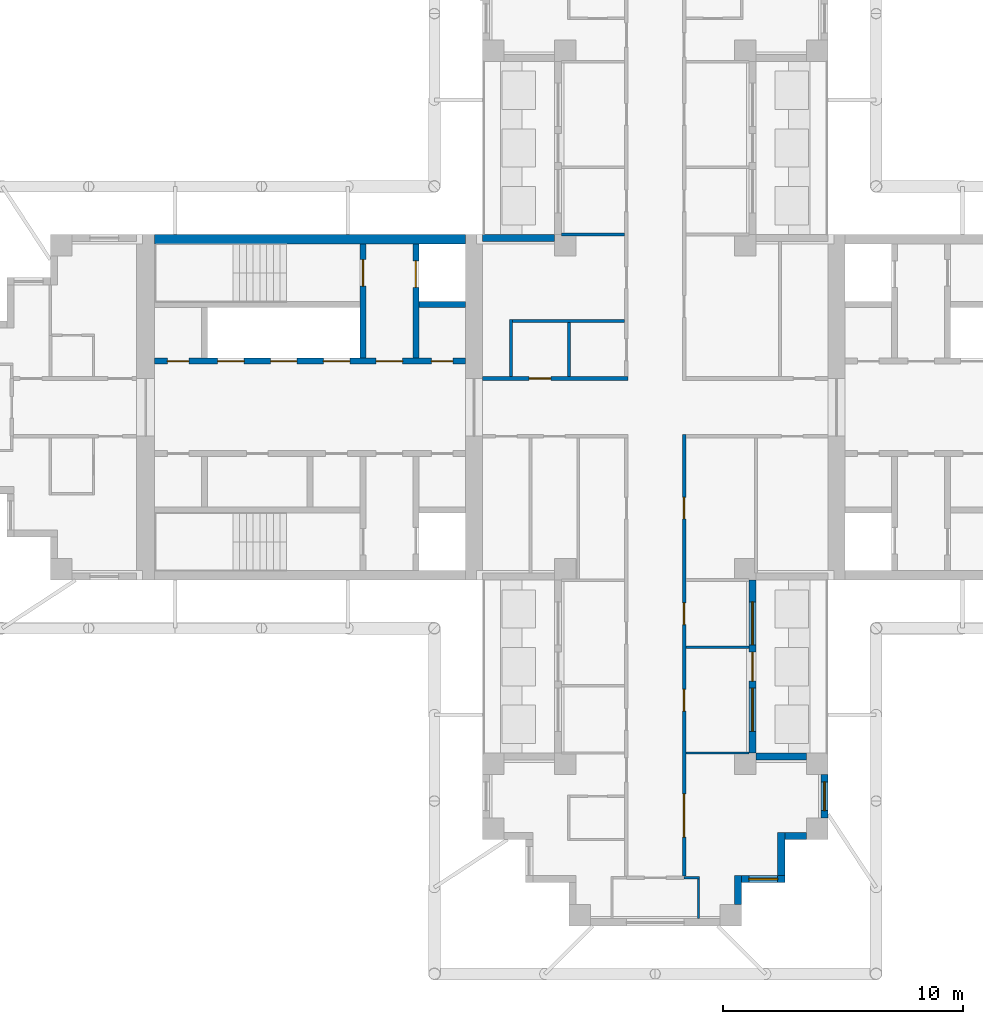
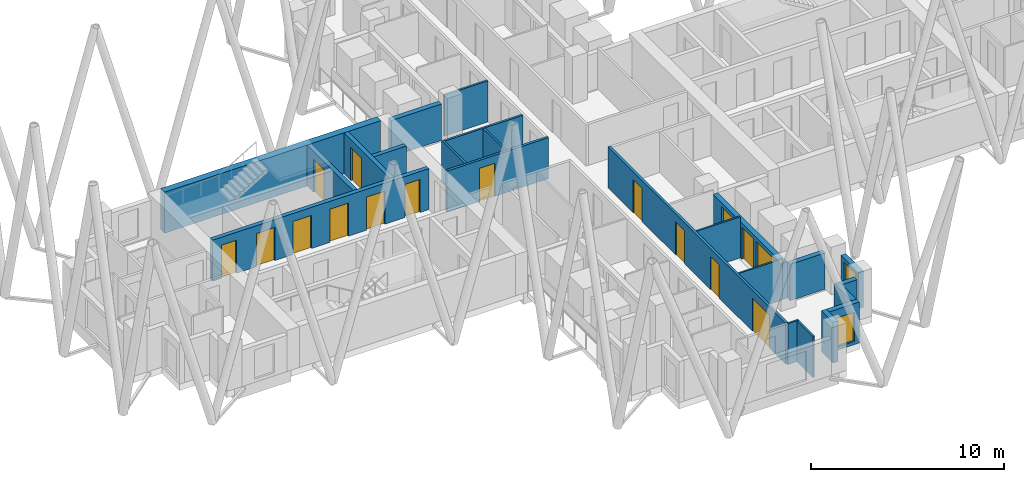
# One storey, part 5 of 11: 23 walls, 14 doors, 4 windows, 18 openings.
"""IFC4 building model written with IfcOpenShell, lengths in metres."""

import ifcopenshell
import ifcopenshell.guid

model = None  # the IFC model being written
_history = None  # IfcOwnerHistory: only IFC2X3 demands one
_inside = {}  # id of a spatial element -> (the spatial element, [elements in it])
_under = {}  # id of a project, library or spatial element -> (it, [spatial elements below it])
_declared = {}  # id of a project -> (the project, [libraries it declares])
_typed = {}  # id of a type object -> (the type object, [elements of that type])
_made_of = {}  # id of a material, layer set ... -> (it, [elements and type objects made of it])


def new_model(schema):
    """Start an empty IFC model of exactly this schema.

    Asked for "IFC4X3", IfcOpenShell would pick the latest addendum, in which some entities
    have other attributes; the version numbers below select the first issue.
    IFC2X3 requires an IfcOwnerHistory on every rooted entity: one is made here for all.
    """
    global model, _history
    if schema == "IFC4X3":
        model = ifcopenshell.file(schema_version=(4, 3, 0, 0))
    else:
        model = ifcopenshell.file(schema=schema)
    _inside.clear()
    _under.clear()
    _declared.clear()
    _typed.clear()
    _made_of.clear()
    _history = None
    if model.schema == "IFC2X3":
        org = make("IfcOrganization", Name="unknown")
        user = make(
            "IfcPersonAndOrganization",
            ThePerson=make("IfcPerson", FamilyName="unknown"),
            TheOrganization=org,
        )
        app = make(
            "IfcApplication",
            ApplicationDeveloper=org,
            Version="unknown",
            ApplicationFullName="unknown",
            ApplicationIdentifier="unknown",
        )
        _history = make(
            "IfcOwnerHistory",
            OwningUser=user,
            OwningApplication=app,
            ChangeAction="ADDED",
            CreationDate=0,
        )
    return model


def make(cls, **values):
    """One entity of the class cls with the attributes given. An attribute that is None is left unset."""
    return model.create_entity(
        cls, **{name: value for name, value in values.items() if value is not None}
    )


def rooted(cls, **values):
    """An entity with a GlobalId (a new one), such as an element, a storey or a relation."""
    return make(cls, GlobalId=ifcopenshell.guid.new(), OwnerHistory=_history, **values)


def si_unit(unit_type, name, prefix=None):
    """IfcSIUnit, for example si_unit("LENGTHUNIT", "METRE", prefix="MILLI")."""
    return make("IfcSIUnit", UnitType=unit_type, Prefix=prefix, Name=name)


def assignment(units):
    """IfcUnitAssignment: the units of a project."""
    return None if units is None else make("IfcUnitAssignment", Units=units)


def point(xyz):
    """IfcCartesianPoint."""
    return None if xyz is None else make("IfcCartesianPoint", Coordinates=xyz)


def direction(xyz):
    """IfcDirection."""
    return None if xyz is None else make("IfcDirection", DirectionRatios=xyz)


def frame(location, z_axis=None, x_axis=None):
    """IfcAxis2Placement3D, a coordinate frame: its origin and axes. An axis left out is left unset."""
    return make(
        "IfcAxis2Placement3D",
        Location=point(location),
        Axis=direction(z_axis),
        RefDirection=direction(x_axis),
    )


def frame_2d(location, x_axis=None):
    """IfcAxis2Placement2D, a coordinate frame in the plane: its origin and x axis."""
    return make(
        "IfcAxis2Placement2D", Location=point(location), RefDirection=direction(x_axis)
    )


def origin():
    """The frame at (0, 0, 0) with its axes left unset."""
    return frame((0.0, 0.0, 0.0))


def place(relative_to, where):
    """IfcLocalPlacement: puts the frame where relative to a parent placement (None: the world)."""
    return make(
        "IfcLocalPlacement", PlacementRelTo=relative_to, RelativePlacement=where
    )


def context(
    kind, dimensions, precision=None, world=None, true_north=None, identifier=None
):
    """IfcGeometricRepresentationContext, for example the 3D "Model" context."""
    return make(
        "IfcGeometricRepresentationContext",
        ContextIdentifier=identifier,
        ContextType=kind,
        CoordinateSpaceDimension=dimensions,
        Precision=precision,
        WorldCoordinateSystem=world,
        TrueNorth=true_north,
    )


def subcontext(parent, identifier, kind, view, scale=None):
    """IfcGeometricRepresentationSubContext, for example "Body" below "Model"."""
    return make(
        "IfcGeometricRepresentationSubContext",
        ContextIdentifier=identifier,
        ContextType=kind,
        ParentContext=parent,
        TargetScale=scale,
        TargetView=view,
    )


def project(units=None, contexts=None):
    """IfcProject with its units and contexts."""
    return rooted(
        "IfcProject",
        Name="project",
        RepresentationContexts=contexts,
        UnitsInContext=assignment(units),
    )


def spatial(cls, under=None, at=None, **own):
    """A site, building, storey or space (cls), placed at a placement, below another one or the project."""
    s = rooted(cls, ObjectPlacement=at, **own)
    if under is not None:
        _under.setdefault(under.id(), (under, []))[1].append(s)
    return s


def profile(cls, at=None, kind="AREA", **sizes):
    """A parametric profile (cls). Its sizes go by their IFC names, for example OverallWidth=200.0."""
    return make(cls, ProfileType=kind, Position=at, **sizes)


def rectangle(**sizes):
    """IfcRectangleProfileDef."""
    return profile("IfcRectangleProfileDef", **sizes)


def extrude(swept, where, along, depth):
    """IfcExtrudedAreaSolid: the profile swept, set in the frame where, extruded along a direction by depth."""
    return make(
        "IfcExtrudedAreaSolid",
        SweptArea=swept,
        Position=where,
        ExtrudedDirection=direction(along),
        Depth=depth,
    )


def shape(context_of_items, identifier, shape_type, items):
    """IfcShapeRepresentation: the items that make up one representation, for example the "Body"."""
    return make(
        "IfcShapeRepresentation",
        ContextOfItems=context_of_items,
        RepresentationIdentifier=identifier,
        RepresentationType=shape_type,
        Items=items,
    )


def material(Name=None, Category=None):
    """IfcMaterial."""
    return make("IfcMaterial", Name=Name, Category=Category)


def layer(
    of_material, thickness, ventilated=None, Name=None, Category=None, Priority=None
):
    """IfcMaterialLayer: one layer of a wall or slab, of a material (None: an air gap)."""
    return make(
        "IfcMaterialLayer",
        Material=of_material,
        LayerThickness=thickness,
        IsVentilated=ventilated,
        Name=Name,
        Category=Category,
        Priority=Priority,
    )


def layer_set(layers, Name=None):
    """IfcMaterialLayerSet."""
    return make("IfcMaterialLayerSet", MaterialLayers=layers, LayerSetName=Name)


def made_of(thing, what):
    """Note that an element or type object is made of a material, layer set ...; save() writes the relation."""
    if what is not None:
        _made_of.setdefault(what.id(), (what, []))[1].append(thing)
    return thing


def type_object(cls, material=None, **own):
    """A type object (cls), such as IfcWallType, which elements share."""
    return made_of(rooted(cls, **own), material)


def element(
    cls,
    number,
    at=None,
    inside=None,
    cuts=None,
    type_object=None,
    material=None,
    context=None,
    identifier="Body",
    shape_type=None,
    held_by="IfcProductDefinitionShape",
    body=None,
    shapes=None,
    **own,
):
    """One element of the class cls, such as IfcWall. Its Tag is "e" and its number.

    at: its placement. inside: the storey or other place that contains it. cuts: it is an
    opening in that element (IfcRelVoidsElement). A single representation is given by context,
    identifier, shape_type and body (its items); several are given by shapes. held_by: the class
    of the entity that holds the representations. save() writes the other relations.
    """
    e = rooted(cls, Tag="e%d" % number, ObjectPlacement=at, **own)
    if body is not None:
        shapes = [shape(context, identifier, shape_type, body)]
    if shapes is not None:
        e.Representation = make(held_by, Representations=shapes)
    if inside is not None:
        _inside.setdefault(inside.id(), (inside, []))[1].append(e)
    if cuts is not None:
        rooted(
            "IfcRelVoidsElement", RelatingBuildingElement=cuts, RelatedOpeningElement=e
        )
    if type_object is not None:
        _typed.setdefault(type_object.id(), (type_object, []))[1].append(e)
    return made_of(e, material)


def fill(opening, filler):
    """IfcRelFillsElement: the door or window that sits in an opening."""
    return rooted(
        "IfcRelFillsElement",
        RelatingOpeningElement=opening,
        RelatedBuildingElement=filler,
    )


def aggregate(whole, parts):
    """IfcRelAggregates: a whole, such as a stair, and the parts it consists of."""
    return rooted("IfcRelAggregates", RelatingObject=whole, RelatedObjects=parts)


def save(model, path):
    """Write the relations noted so far, then the file.

    IfcRelAggregates (storeys below a building ...), IfcRelContainedInSpatialStructure (elements
    in a storey), IfcRelDefinesByType, IfcRelAssociatesMaterial and IfcRelDeclares: one each for
    every whole, place, type object, material and project.
    """
    for whole, parts in _under.values():
        aggregate(whole, parts)
    for where, things in _inside.values():
        rooted(
            "IfcRelContainedInSpatialStructure",
            RelatedElements=things,
            RelatingStructure=where,
        )
    for kind, things in _typed.values():
        rooted("IfcRelDefinesByType", RelatedObjects=things, RelatingType=kind)
    for what, things in _made_of.values():
        rooted("IfcRelAssociatesMaterial", RelatedObjects=things, RelatingMaterial=what)
    for by, libraries in _declared.values():
        rooted("IfcRelDeclares", RelatingContext=by, RelatedDefinitions=libraries)
    model.write(path)


model = new_model("IFC4")

# Units and contexts
model_context = context("Model", 3, precision=1e-05, world=origin(), true_north=direction((0.0, 1.0)))
body_context = subcontext(model_context, "Body", "Model", "MODEL_VIEW")
ifc_project = project(units=[si_unit("LENGTHUNIT", "METRE"), si_unit("AREAUNIT", "SQUARE_METRE"), si_unit("VOLUMEUNIT", "CUBIC_METRE"), si_unit("PLANEANGLEUNIT", "RADIAN"), si_unit("MASSUNIT", "GRAM", prefix="KILO")], contexts=[model_context])

# Site, building, storey
site_placement = place(None, origin())
site = spatial("IfcSite", under=ifc_project, at=site_placement, CompositionType="ELEMENT")
building_placement = place(site_placement, origin())
building = spatial("IfcBuilding", under=site, at=building_placement, Name="Fustian Cross Tower", CompositionType="ELEMENT")
storey_placement = place(building_placement, frame((0.0, 0.0, 234.89990234375)))
storey = spatial("IfcBuildingStorey", under=building, at=storey_placement, Name="L74", CompositionType="ELEMENT", Elevation=234.89990234375)

# Wall, opening, door
ifc_material_1 = material(Name="Plasterboard on steel stud", Category="steel")
ifc_layer_1 = layer(ifc_material_1, 0.14990234375)
ifc_layer_set_1 = layer_set([ifc_layer_1], Name="Plasterboard on steel stud")
wall_type_1 = type_object("IfcWallType", Name="COMPARTMENT WALL 150 EI 60", PredefinedType="PARTITIONING", material=ifc_layer_set_1)
wall_1_placement = place(storey_placement, frame((-7.199951171875, 1.199951171875, 0.0), z_axis=(0.0, 0.0, 1.0), x_axis=(1.0, 0.0, 0.0)))
wall_1 = element("IfcWall", 1, at=wall_1_placement, inside=storey, type_object=wall_type_1, Name="Partition 16", PredefinedType="PARTITIONING", context=body_context, shape_type="SweptSolid", body=[
    extrude(rectangle(XDim=6.074951171875, YDim=0.14990234375, at=frame_2d((3.03759765625, 0.0))), origin(), (0.0, 0.0, 1.0), 2.60009765625),
])
opening_1_placement = place(wall_1_placement, frame((1.949951171875, 0.0, 0.0)))
opening_1 = element("IfcOpeningElement", 2, at=opening_1_placement, cuts=wall_1, Name="Opening D33004", PredefinedType="OPENING", context=body_context, shape_type="SweptSolid", body=[
    extrude(rectangle(XDim=0.89990234375, YDim=2.10009765625, at=frame_2d((0.449951171875, 1.050048828125))), frame((0.0, 0.0849609375, 0.0), z_axis=(0.0, -1.0, 0.0), x_axis=(1.0, 0.0, 0.0)), (0.0, 0.0, 1.0), 0.169921875),
])
ifc_material_2 = material(Name="Timber fire door set", Category="wood")
door_type_1 = type_object("IfcDoorType", Name="FIRE SWING DOOR 900 FD30S", OperationType="SINGLE_SWING_LEFT", PredefinedType="DOOR", material=ifc_material_2)
door_1_placement = place(opening_1_placement, origin())
door_1 = element("IfcDoor", 3, at=door_1_placement, inside=storey, type_object=door_type_1, Name="Door D33004", OperationType="SINGLE_SWING_LEFT", OverallHeight=2.10009765625, OverallWidth=0.89990234375, PredefinedType="DOOR", context=body_context, shape_type="SweptSolid", body=[
    extrude(rectangle(XDim=0.89990234375, YDim=2.10009765625, at=frame_2d((0.449951171875, 1.050048828125))), frame((0.0, 0.02490234375, 0.0), z_axis=(0.0, -1.0, 0.0), x_axis=(1.0, 0.0, 0.0)), (0.0, 0.0, 1.0), 0.050048828125),
])
fill(opening_1, door_1)

# Wall, openings, doors
wall_2_placement = place(storey_placement, frame((1.199951171875, -19.52490234375, 0.0), z_axis=(0.0, 0.0, 1.0), x_axis=(0.0, 1.0, 0.0)))
wall_2 = element("IfcWall", 4, at=wall_2_placement, inside=storey, type_object=wall_type_1, Name="Partition 42", PredefinedType="PARTITIONING", context=body_context, shape_type="SweptSolid", body=[
    extrude(rectangle(XDim=18.39990234375, YDim=0.14990234375, at=frame_2d((9.199951171875, 0.0))), origin(), (0.0, 0.0, 1.0), 2.60009765625),
])
opening_2_placement = place(wall_2_placement, frame((14.875, 0.0, 0.0)))
opening_2 = element("IfcOpeningElement", 5, at=opening_2_placement, cuts=wall_2, Name="Opening D33006", PredefinedType="OPENING", context=body_context, shape_type="SweptSolid", body=[
    extrude(rectangle(XDim=0.89990234375, YDim=2.10009765625, at=frame_2d((0.449951171875, 1.050048828125))), frame((0.0, 0.0849609375, 0.0), z_axis=(0.0, -1.0, 0.0), x_axis=(1.0, 0.0, 0.0)), (0.0, 0.0, 1.0), 0.169921875),
])
opening_3_placement = place(wall_2_placement, frame((10.47509765625, 0.0, 0.0)))
opening_3 = element("IfcOpeningElement", 6, at=opening_3_placement, cuts=wall_2, Name="Opening D33033", PredefinedType="OPENING", context=body_context, shape_type="SweptSolid", body=[
    extrude(rectangle(XDim=0.89990234375, YDim=2.10009765625, at=frame_2d((0.449951171875, 1.050048828125))), frame((0.0, 0.0849609375, 0.0), z_axis=(0.0, -1.0, 0.0), x_axis=(1.0, 0.0, 0.0)), (0.0, 0.0, 1.0), 0.169921875),
])
opening_4_placement = place(wall_2_placement, frame((6.875, 0.0, 0.0)))
opening_4 = element("IfcOpeningElement", 7, at=opening_4_placement, cuts=wall_2, Name="Opening D33034", PredefinedType="OPENING", context=body_context, shape_type="SweptSolid", body=[
    extrude(rectangle(XDim=0.89990234375, YDim=2.10009765625, at=frame_2d((0.449951171875, 1.050048828125))), frame((0.0, 0.0849609375, 0.0), z_axis=(0.0, -1.0, 0.0), x_axis=(1.0, 0.0, 0.0)), (0.0, 0.0, 1.0), 0.169921875),
])
opening_5_placement = place(wall_2_placement, frame((1.625, 0.0, 0.0)))
opening_5 = element("IfcOpeningElement", 8, at=opening_5_placement, cuts=wall_2, Name="Opening D33035", PredefinedType="OPENING", context=body_context, shape_type="SweptSolid", body=[
    extrude(rectangle(XDim=1.800048828125, YDim=2.10009765625, at=frame_2d((0.89990234375, 1.050048828125))), frame((0.0, 0.0849609375, 0.0), z_axis=(0.0, -1.0, 0.0), x_axis=(1.0, 0.0, 0.0)), (0.0, 0.0, 1.0), 0.169921875),
])
ifc_material_3 = material(Name="Timber fire door set", Category="wood")
door_type_2 = type_object("IfcDoorType", Name="FIRE DOUBLE DOOR 1800 FD30S", OperationType="DOUBLE_DOOR_DOUBLE_SWING", PredefinedType="DOOR", material=ifc_material_3)
door_2_placement = place(opening_5_placement, origin())
door_2 = element("IfcDoor", 9, at=door_2_placement, inside=storey, type_object=door_type_2, Name="Door D33035", OperationType="DOUBLE_DOOR_DOUBLE_SWING", OverallHeight=2.10009765625, OverallWidth=1.800048828125, PredefinedType="DOOR", context=body_context, shape_type="SweptSolid", body=[
    extrude(rectangle(XDim=1.800048828125, YDim=2.10009765625, at=frame_2d((0.89990234375, 1.050048828125))), frame((0.0, 0.02490234375, 0.0), z_axis=(0.0, -1.0, 0.0), x_axis=(1.0, 0.0, 0.0)), (0.0, 0.0, 1.0), 0.050048828125),
])
fill(opening_5, door_2)
door_3_placement = place(opening_2_placement, frame((0.89990234375, 0.0, 0.0), z_axis=(0.0, 0.0, 1.0), x_axis=(-1.0, 0.0, 0.0)))
door_3 = element("IfcDoor", 10, at=door_3_placement, inside=storey, type_object=door_type_1, Name="Door D33006", OperationType="SINGLE_SWING_RIGHT", OverallHeight=2.10009765625, OverallWidth=0.89990234375, PredefinedType="DOOR", context=body_context, shape_type="SweptSolid", body=[
    extrude(rectangle(XDim=0.89990234375, YDim=2.10009765625, at=frame_2d((0.449951171875, 1.050048828125))), frame((0.0, 0.02490234375, 0.0), z_axis=(0.0, -1.0, 0.0), x_axis=(1.0, 0.0, 0.0)), (0.0, 0.0, 1.0), 0.050048828125),
])
fill(opening_2, door_3)
door_4_placement = place(opening_3_placement, frame((0.89990234375, 0.0, 0.0), z_axis=(0.0, 0.0, 1.0), x_axis=(-1.0, 0.0, 0.0)))
door_4 = element("IfcDoor", 11, at=door_4_placement, inside=storey, type_object=door_type_1, Name="Door D33033", OperationType="SINGLE_SWING_RIGHT", OverallHeight=2.10009765625, OverallWidth=0.89990234375, PredefinedType="DOOR", context=body_context, shape_type="SweptSolid", body=[
    extrude(rectangle(XDim=0.89990234375, YDim=2.10009765625, at=frame_2d((0.449951171875, 1.050048828125))), frame((0.0, 0.02490234375, 0.0), z_axis=(0.0, -1.0, 0.0), x_axis=(1.0, 0.0, 0.0)), (0.0, 0.0, 1.0), 0.050048828125),
])
fill(opening_3, door_4)
door_5_placement = place(opening_4_placement, frame((0.89990234375, 0.0, 0.0), z_axis=(0.0, 0.0, 1.0), x_axis=(-1.0, 0.0, 0.0)))
door_5 = element("IfcDoor", 12, at=door_5_placement, inside=storey, type_object=door_type_1, Name="Door D33034", OperationType="SINGLE_SWING_RIGHT", OverallHeight=2.10009765625, OverallWidth=0.89990234375, PredefinedType="DOOR", context=body_context, shape_type="SweptSolid", body=[
    extrude(rectangle(XDim=0.89990234375, YDim=2.10009765625, at=frame_2d((0.449951171875, 1.050048828125))), frame((0.0, 0.02490234375, 0.0), z_axis=(0.0, -1.0, 0.0), x_axis=(1.0, 0.0, 0.0)), (0.0, 0.0, 1.0), 0.050048828125),
])
fill(opening_4, door_5)

# Wall
ifc_material_4 = material(Name="Concrete C50/60", Category="concrete")
ifc_layer_2 = layer(ifc_material_4, 0.39990234375)
ifc_layer_set_2 = layer_set([ifc_layer_2], Name="Concrete C50/60")
wall_type_2 = type_object("IfcWallType", Name="CORE FACADE WALL 400 C50/60", PredefinedType="SHEAR", material=ifc_layer_set_2)
wall_3_placement = place(storey_placement, frame((-7.89990234375, 7.0, 0.0), z_axis=(0.0, 0.0, 1.0), x_axis=(-1.0, 0.0, 0.0)))
element("IfcWall", 13, at=wall_3_placement, inside=storey, type_object=wall_type_2, Name="Core facade wall", PredefinedType="SHEAR", context=body_context, shape_type="SweptSolid", body=[
    extrude(rectangle(XDim=12.9501953125, YDim=0.39990234375, at=frame_2d((6.47509765625, 0.0))), origin(), (0.0, 0.0, 1.0), 2.60009765625),
])

# Wall, openings, doors
ifc_material_5 = material(Name="Concrete C50/60", Category="concrete")
ifc_layer_3 = layer(ifc_material_5, 0.25)
ifc_layer_set_3 = layer_set([ifc_layer_3], Name="Concrete C50/60")
wall_type_3 = type_object("IfcWallType", Name="CORE LOBBY WALL 250 C50/60", PredefinedType="SHEAR", material=ifc_layer_set_3)
wall_4_placement = place(storey_placement, frame((-7.89990234375, 1.925048828125, 0.0), z_axis=(0.0, 0.0, 1.0), x_axis=(-1.0, 0.0, 0.0)))
wall_4 = element("IfcWall", 14, at=wall_4_placement, inside=storey, type_object=wall_type_3, Name="Core lobby wall", PredefinedType="SHEAR", context=body_context, shape_type="SweptSolid", body=[
    extrude(rectangle(XDim=12.9501953125, YDim=0.25, at=frame_2d((6.47509765625, 0.0))), origin(), (0.0, 0.0, 1.0), 2.60009765625),
])
opening_6_placement = place(wall_4_placement, frame((4.824951171875, 0.0, 0.0)))
opening_6 = element("IfcOpeningElement", 15, at=opening_6_placement, cuts=wall_4, Name="Opening LD", PredefinedType="OPENING", context=body_context, shape_type="SweptSolid", body=[
    extrude(rectangle(XDim=1.10009765625, YDim=2.10009765625, at=frame_2d((0.550048828125, 1.050048828125))), frame((0.0, 0.135009765625, 0.0), z_axis=(0.0, -1.0, 0.0), x_axis=(1.0, 0.0, 0.0)), (0.0, 0.0, 1.0), 0.27001953125),
])
opening_7_placement = place(wall_4_placement, frame((7.02490234375, 0.0, 0.0)))
opening_7 = element("IfcOpeningElement", 16, at=opening_7_placement, cuts=wall_4, Name="Opening LD", PredefinedType="OPENING", context=body_context, shape_type="SweptSolid", body=[
    extrude(rectangle(XDim=1.10009765625, YDim=2.10009765625, at=frame_2d((0.550048828125, 1.050048828125))), frame((0.0, 0.135009765625, 0.0), z_axis=(0.0, -1.0, 0.0), x_axis=(1.0, 0.0, 0.0)), (0.0, 0.0, 1.0), 0.27001953125),
])
opening_8_placement = place(wall_4_placement, frame((9.22509765625, 0.0, 0.0)))
opening_8 = element("IfcOpeningElement", 17, at=opening_8_placement, cuts=wall_4, Name="Opening LD", PredefinedType="OPENING", context=body_context, shape_type="SweptSolid", body=[
    extrude(rectangle(XDim=1.10009765625, YDim=2.10009765625, at=frame_2d((0.550048828125, 1.050048828125))), frame((0.0, 0.135009765625, 0.0), z_axis=(0.0, -1.0, 0.0), x_axis=(1.0, 0.0, 0.0)), (0.0, 0.0, 1.0), 0.27001953125),
])
opening_9_placement = place(wall_4_placement, frame((0.52490234375, 0.0, 0.0)))
opening_9 = element("IfcOpeningElement", 18, at=opening_9_placement, cuts=wall_4, Name="Opening CD-28-25", PredefinedType="OPENING", context=body_context, shape_type="SweptSolid", body=[
    extrude(rectangle(XDim=0.89990234375, YDim=2.10009765625, at=frame_2d((0.449951171875, 1.050048828125))), frame((0.0, 0.135009765625, 0.0), z_axis=(0.0, -1.0, 0.0), x_axis=(1.0, 0.0, 0.0)), (0.0, 0.0, 1.0), 0.27001953125),
])
opening_10_placement = place(wall_4_placement, frame((2.625, 0.0, 0.0)))
opening_10 = element("IfcOpeningElement", 19, at=opening_10_placement, cuts=wall_4, Name="Opening CD-28-27", PredefinedType="OPENING", context=body_context, shape_type="SweptSolid", body=[
    extrude(rectangle(XDim=1.10009765625, YDim=2.10009765625, at=frame_2d((0.550048828125, 1.050048828125))), frame((0.0, 0.135009765625, 0.0), z_axis=(0.0, -1.0, 0.0), x_axis=(1.0, 0.0, 0.0)), (0.0, 0.0, 1.0), 0.27001953125),
])
opening_11_placement = place(wall_4_placement, frame((11.52490234375, 0.0, 0.0)))
opening_11 = element("IfcOpeningElement", 20, at=opening_11_placement, cuts=wall_4, Name="Opening CD-28-31", PredefinedType="OPENING", context=body_context, shape_type="SweptSolid", body=[
    extrude(rectangle(XDim=0.89990234375, YDim=2.10009765625, at=frame_2d((0.449951171875, 1.050048828125))), frame((0.0, 0.135009765625, 0.0), z_axis=(0.0, -1.0, 0.0), x_axis=(1.0, 0.0, 0.0)), (0.0, 0.0, 1.0), 0.27001953125),
])
ifc_material_6 = material(Name="Steel", Category="steel")
door_type_3 = type_object("IfcDoorType", Name="FIRE DOOR FD30S 900X2100", OperationType="SINGLE_SWING_LEFT", PredefinedType="DOOR", material=ifc_material_6)
door_6_placement = place(opening_11_placement, frame((0.89990234375, 0.0, 0.0), z_axis=(0.0, 0.0, 1.0), x_axis=(-1.0, 0.0, 0.0)))
door_6 = element("IfcDoor", 21, at=door_6_placement, inside=storey, type_object=door_type_3, Name="Core door CD-28-31", OperationType="SINGLE_SWING_RIGHT", OverallHeight=2.10009765625, OverallWidth=0.89990234375, PredefinedType="DOOR", context=body_context, shape_type="SweptSolid", body=[
    extrude(rectangle(XDim=0.89990234375, YDim=2.10009765625, at=frame_2d((0.449951171875, 1.050048828125))), frame((0.0, 0.02490234375, 0.0), z_axis=(0.0, -1.0, 0.0), x_axis=(1.0, 0.0, 0.0)), (0.0, 0.0, 1.0), 0.050048828125),
])
fill(opening_11, door_6)
ifc_material_7 = material(Name="Steel", Category="steel")
door_type_4 = type_object("IfcDoorType", Name="FIRE DOOR FD60S 1100X2100", OperationType="SINGLE_SWING_LEFT", PredefinedType="DOOR", material=ifc_material_7)
door_7_placement = place(opening_10_placement, frame((1.10009765625, 0.0, 0.0), z_axis=(0.0, 0.0, 1.0), x_axis=(-1.0, 0.0, 0.0)))
door_7 = element("IfcDoor", 22, at=door_7_placement, inside=storey, type_object=door_type_4, Name="Core door CD-28-27", OperationType="SINGLE_SWING_RIGHT", OverallHeight=2.10009765625, OverallWidth=1.10009765625, PredefinedType="DOOR", context=body_context, shape_type="SweptSolid", body=[
    extrude(rectangle(XDim=1.10009765625, YDim=2.10009765625, at=frame_2d((0.550048828125, 1.050048828125))), frame((0.0, 0.02490234375, 0.0), z_axis=(0.0, -1.0, 0.0), x_axis=(1.0, 0.0, 0.0)), (0.0, 0.0, 1.0), 0.050048828125),
])
fill(opening_10, door_7)
ifc_material_8 = material(Name="Steel", Category="steel")
door_type_5 = type_object("IfcDoorType", Name="FIRE DOOR FD60S 900X2100", OperationType="SINGLE_SWING_LEFT", PredefinedType="DOOR", material=ifc_material_8)
door_8_placement = place(opening_9_placement, frame((0.89990234375, 0.0, 0.0), z_axis=(0.0, 0.0, 1.0), x_axis=(-1.0, 0.0, 0.0)))
door_8 = element("IfcDoor", 23, at=door_8_placement, inside=storey, type_object=door_type_5, Name="Core door CD-28-25", OperationType="SINGLE_SWING_RIGHT", OverallHeight=2.10009765625, OverallWidth=0.89990234375, PredefinedType="DOOR", context=body_context, shape_type="SweptSolid", body=[
    extrude(rectangle(XDim=0.89990234375, YDim=2.10009765625, at=frame_2d((0.449951171875, 1.050048828125))), frame((0.0, 0.02490234375, 0.0), z_axis=(0.0, -1.0, 0.0), x_axis=(1.0, 0.0, 0.0)), (0.0, 0.0, 1.0), 0.050048828125),
])
fill(opening_9, door_8)
ifc_material_9 = material(Name="Stainless steel", Category="steel")
door_type_6 = type_object("IfcDoorType", Name="LIFT LANDING DOOR 1100X2100", OperationType="SLIDING_TO_LEFT", PredefinedType="DOOR", material=ifc_material_9)
door_9_placement = place(opening_6_placement, origin())
door_9 = element("IfcDoor", 24, at=door_9_placement, inside=storey, type_object=door_type_6, Name="Landing door HR1W", OperationType="SLIDING_TO_LEFT", OverallHeight=2.10009765625, OverallWidth=1.10009765625, PredefinedType="DOOR", context=body_context, shape_type="SweptSolid", body=[
    extrude(rectangle(XDim=1.10009765625, YDim=2.10009765625, at=frame_2d((0.550048828125, 1.050048828125))), frame((0.0, 0.02490234375, 0.0), z_axis=(0.0, -1.0, 0.0), x_axis=(1.0, 0.0, 0.0)), (0.0, 0.0, 1.0), 0.050048828125),
])
fill(opening_6, door_9)
door_10_placement = place(opening_7_placement, origin())
door_10 = element("IfcDoor", 25, at=door_10_placement, inside=storey, type_object=door_type_6, Name="Landing door HR2W", OperationType="SLIDING_TO_LEFT", OverallHeight=2.10009765625, OverallWidth=1.10009765625, PredefinedType="DOOR", context=body_context, shape_type="SweptSolid", body=[
    extrude(rectangle(XDim=1.10009765625, YDim=2.10009765625, at=frame_2d((0.550048828125, 1.050048828125))), frame((0.0, 0.02490234375, 0.0), z_axis=(0.0, -1.0, 0.0), x_axis=(1.0, 0.0, 0.0)), (0.0, 0.0, 1.0), 0.050048828125),
])
fill(opening_7, door_10)
door_11_placement = place(opening_8_placement, origin())
door_11 = element("IfcDoor", 26, at=door_11_placement, inside=storey, type_object=door_type_6, Name="Landing door HR3W", OperationType="SLIDING_TO_LEFT", OverallHeight=2.10009765625, OverallWidth=1.10009765625, PredefinedType="DOOR", context=body_context, shape_type="SweptSolid", body=[
    extrude(rectangle(XDim=1.10009765625, YDim=2.10009765625, at=frame_2d((0.550048828125, 1.050048828125))), frame((0.0, 0.02490234375, 0.0), z_axis=(0.0, -1.0, 0.0), x_axis=(1.0, 0.0, 0.0)), (0.0, 0.0, 1.0), 0.050048828125),
])
fill(opening_8, door_11)

# Wall
ifc_material_10 = material(Name="Concrete C50/60", Category="concrete")
ifc_layer_4 = layer(ifc_material_10, 0.25)
ifc_layer_set_4 = layer_set([ifc_layer_4], Name="Concrete C50/60")
wall_type_4 = type_object("IfcWallType", Name="CORE SHAFT WALL 250 C50/60", PredefinedType="SHEAR", material=ifc_layer_set_4)
wall_5_placement = place(storey_placement, frame((-7.89990234375, 4.27490234375, 0.0), z_axis=(0.0, 0.0, 1.0), x_axis=(-1.0, 0.0, 0.0)))
element("IfcWall", 27, at=wall_5_placement, inside=storey, type_object=wall_type_4, Name="Core shaft wall", PredefinedType="SHEAR", context=body_context, shape_type="SweptSolid", body=[
    extrude(rectangle(XDim=1.9501953125, YDim=0.25, at=frame_2d((0.97509765625, 0.0))), origin(), (0.0, 0.0, 1.0), 2.60009765625),
])

# Wall, opening, door
wall_6_placement = place(storey_placement, frame((-9.97509765625, 2.050048828125, 0.0), z_axis=(0.0, 0.0, 1.0), x_axis=(0.0, 1.0, 0.0)))
wall_6 = element("IfcWall", 28, at=wall_6_placement, inside=storey, type_object=wall_type_4, Name="Core shaft wall", PredefinedType="SHEAR", context=body_context, shape_type="SweptSolid", body=[
    extrude(rectangle(XDim=4.75, YDim=0.25, at=frame_2d((2.375, 0.0))), origin(), (0.0, 0.0, 1.0), 2.60009765625),
])
opening_12_placement = place(wall_6_placement, frame((2.949951171875, 0.0, 0.0)))
opening_12 = element("IfcOpeningElement", 29, at=opening_12_placement, cuts=wall_6, Name="Opening LD", PredefinedType="OPENING", context=body_context, shape_type="SweptSolid", body=[
    extrude(rectangle(XDim=1.10009765625, YDim=2.10009765625, at=frame_2d((0.550048828125, 1.050048828125))), frame((0.0, 0.135009765625, 0.0), z_axis=(0.0, -1.0, 0.0), x_axis=(1.0, 0.0, 0.0)), (0.0, 0.0, 1.0), 0.27001953125),
])
door_12_placement = place(opening_12_placement, origin())
door_12 = element("IfcDoor", 30, at=door_12_placement, inside=storey, type_object=door_type_6, Name="Landing door FL1W", OperationType="SLIDING_TO_LEFT", OverallHeight=2.10009765625, OverallWidth=1.10009765625, PredefinedType="DOOR", context=body_context, shape_type="SweptSolid", body=[
    extrude(rectangle(XDim=1.10009765625, YDim=2.10009765625, at=frame_2d((0.550048828125, 1.050048828125))), frame((0.0, 0.02490234375, 0.0), z_axis=(0.0, -1.0, 0.0), x_axis=(1.0, 0.0, 0.0)), (0.0, 0.0, 1.0), 0.050048828125),
])
fill(opening_12, door_12)

wall_7_placement = place(storey_placement, frame((-12.175048828125, 2.050048828125, 0.0), z_axis=(0.0, 0.0, 1.0), x_axis=(0.0, 1.0, 0.0)))
wall_7 = element("IfcWall", 31, at=wall_7_placement, inside=storey, type_object=wall_type_4, Name="Core shaft wall", PredefinedType="SHEAR", context=body_context, shape_type="SweptSolid", body=[
    extrude(rectangle(XDim=4.75, YDim=0.25, at=frame_2d((2.375, 0.0))), origin(), (0.0, 0.0, 1.0), 2.60009765625),
])
opening_13_placement = place(wall_7_placement, frame((3.0, 0.0, 0.0)))
opening_13 = element("IfcOpeningElement", 32, at=opening_13_placement, cuts=wall_7, Name="Opening CD-28-23", PredefinedType="OPENING", context=body_context, shape_type="SweptSolid", body=[
    extrude(rectangle(XDim=1.10009765625, YDim=2.10009765625, at=frame_2d((0.550048828125, 1.050048828125))), frame((0.0, 0.135009765625, 0.0), z_axis=(0.0, -1.0, 0.0), x_axis=(1.0, 0.0, 0.0)), (0.0, 0.0, 1.0), 0.27001953125),
])
door_13_placement = place(opening_13_placement, origin())
door_13 = element("IfcDoor", 33, at=door_13_placement, inside=storey, type_object=door_type_4, Name="Core door CD-28-23", OperationType="SINGLE_SWING_LEFT", OverallHeight=2.10009765625, OverallWidth=1.10009765625, PredefinedType="DOOR", context=body_context, shape_type="SweptSolid", body=[
    extrude(rectangle(XDim=1.10009765625, YDim=2.10009765625, at=frame_2d((0.550048828125, 1.050048828125))), frame((0.0, 0.02490234375, 0.0), z_axis=(0.0, -1.0, 0.0), x_axis=(1.0, 0.0, 0.0)), (0.0, 0.0, 1.0), 0.050048828125),
])
fill(opening_13, door_13)

# Walls
ifc_material_11 = material(Name="Plasterboard on steel stud", Category="steel")
ifc_layer_5 = layer(ifc_material_11, 0.10009765625)
ifc_layer_set_5 = layer_set([ifc_layer_5], Name="Plasterboard on steel stud")
wall_type_5 = type_object("IfcWallType", Name="PARTITION 100 STUD", PredefinedType="PARTITIONING", material=ifc_layer_set_5)
wall_8_placement = place(storey_placement, frame((1.199951171875, -19.60009765625, 0.0), z_axis=(0.0, 0.0, 1.0), x_axis=(1.0, 0.0, 0.0)))
element("IfcWall", 34, at=wall_8_placement, inside=storey, type_object=wall_type_5, Name="Partition 43", PredefinedType="PARTITIONING", context=body_context, shape_type="SweptSolid", body=[
    extrude(rectangle(XDim=0.650146484375, YDim=0.10009765625, at=frame_2d((0.3251953125, 0.0))), origin(), (0.0, 0.0, 1.0), 2.60009765625),
])
for number, where, z_axis, x_axis, name in (
    (35, (1.27490234375, -14.39990234375, 0.0), (0.0, 0.0, 1.0), (1.0, 0.0, 0.0), "Partition 44"),
    (36, (1.27490234375, -10.0, 0.0), (0.0, 0.0, 1.0), (1.0, 0.0, 0.0), "Partition 45"),
):
    element("IfcWall", number, at=place(storey_placement, frame(where, z_axis=z_axis, x_axis=x_axis)), inside=storey, type_object=wall_type_5, Name=name, PredefinedType="PARTITIONING", context=body_context, shape_type="SweptSolid", body=[
        extrude(rectangle(XDim=2.625, YDim=0.10009765625, at=frame_2d((1.3125, 0.0))), origin(), (0.0, 0.0, 1.0), 2.60009765625),
    ])
wall_9_placement = place(storey_placement, frame((1.800048828125, -21.300048828125, 0.0), z_axis=(0.0, 0.0, 1.0), x_axis=(0.0, 1.0, 0.0)))
element("IfcWall", 37, at=wall_9_placement, inside=storey, type_object=wall_type_5, Name="Partition 56", PredefinedType="PARTITIONING", context=body_context, shape_type="SweptSolid", body=[
    extrude(rectangle(XDim=1.650146484375, YDim=0.10009765625, at=frame_2d((0.8251953125, 0.0))), origin(), (0.0, 0.0, 1.0), 2.60009765625),
])
ifc_material_12 = material(Name="Plasterboard on steel stud", Category="steel")
ifc_layer_6 = layer(ifc_material_12, 0.125)
ifc_layer_set_6 = layer_set([ifc_layer_6], Name="Plasterboard on steel stud")
wall_type_6 = type_object("IfcWallType", Name="WET WALL 125 STUD", PredefinedType="PARTITIONING", material=ifc_layer_set_6)
wall_10_placement = place(storey_placement, frame((-6.0, 1.27490234375, 0.0), z_axis=(0.0, 0.0, 1.0), x_axis=(0.0, 1.0, 0.0)))
element("IfcWall", 38, at=wall_10_placement, inside=storey, type_object=wall_type_6, Name="Partition 17", PredefinedType="PARTITIONING", context=body_context, shape_type="SweptSolid", body=[
    extrude(rectangle(XDim=2.3876953125, YDim=0.125, at=frame_2d((1.19384765625, 0.0))), origin(), (0.0, 0.0, 1.0), 2.60009765625),
])
wall_11_placement = place(storey_placement, frame((-5.9375, 3.60009765625, 0.0), z_axis=(0.0, 0.0, 1.0), x_axis=(1.0, 0.0, 0.0)))
element("IfcWall", 39, at=wall_11_placement, inside=storey, type_object=wall_type_6, Name="Partition 18", PredefinedType="PARTITIONING", context=body_context, shape_type="SweptSolid", body=[
    extrude(rectangle(XDim=4.66259765625, YDim=0.125, at=frame_2d((2.331298828125, 0.0))), origin(), (0.0, 0.0, 1.0), 2.60009765625),
])
wall_12_placement = place(storey_placement, frame((-3.89990234375, 7.199951171875, 0.0), z_axis=(0.0, 0.0, 1.0), x_axis=(1.0, 0.0, 0.0)))
element("IfcWall", 40, at=wall_12_placement, inside=storey, type_object=wall_type_6, Name="Partition 23", PredefinedType="PARTITIONING", context=body_context, shape_type="SweptSolid", body=[
    extrude(rectangle(XDim=2.625, YDim=0.125, at=frame_2d((1.3125, 0.0))), origin(), (0.0, 0.0, 1.0), 2.60009765625),
])
wall_13_placement = place(storey_placement, frame((-3.60009765625, 1.27490234375, 0.0), z_axis=(0.0, 0.0, 1.0), x_axis=(0.0, 1.0, 0.0)))
element("IfcWall", 41, at=wall_13_placement, inside=storey, type_object=wall_type_6, Name="Partition 29", PredefinedType="PARTITIONING", context=body_context, shape_type="SweptSolid", body=[
    extrude(rectangle(XDim=2.2626953125, YDim=0.125, at=frame_2d((1.13134765625, 0.0))), origin(), (0.0, 0.0, 1.0), 2.60009765625),
])
ifc_material_13 = material(Name="Dark aluminium cladding on insulated backing wall", Category="aluminium")
ifc_layer_7 = layer(ifc_material_13, 0.300048828125)
ifc_layer_set_7 = layer_set([ifc_layer_7], Name="Dark aluminium cladding on insulated backing wall")
wall_type_7 = type_object("IfcWallType", Name="XW1 EXTERNAL WALL 300", PredefinedType="SOLIDWALL", material=ifc_layer_set_7)
wall_14_placement = place(storey_placement, frame((-4.199951171875, 7.050048828125, 0.0), z_axis=(0.0, 0.0, 1.0), x_axis=(-1.0, 0.0, 0.0)))
element("IfcWall", 42, at=wall_14_placement, inside=storey, type_object=wall_type_7, Name="External wall", PredefinedType="SOLIDWALL", context=body_context, shape_type="SweptSolid", body=[
    extrude(rectangle(XDim=3.0, YDim=0.300048828125, at=frame_2d((1.5, 0.0))), origin(), (0.0, 0.0, 1.0), 2.300048828125),
])
wall_15_placement = place(storey_placement, frame((3.449951171875, -20.699951171875, 0.0), z_axis=(0.0, 0.0, 1.0), x_axis=(0.0, 1.0, 0.0)))
element("IfcWall", 43, at=wall_15_placement, inside=storey, type_object=wall_type_7, Name="External wall", PredefinedType="SOLIDWALL", context=body_context, shape_type="SweptSolid", body=[
    extrude(rectangle(XDim=1.199951171875, YDim=0.300048828125, at=frame_2d((0.60009765625, 0.0))), origin(), (0.0, 0.0, 1.0), 2.60009765625),
])

# Wall, opening, window
wall_16_placement = place(storey_placement, frame((3.60009765625, -19.64990234375, 0.0), z_axis=(0.0, 0.0, 1.0), x_axis=(1.0, 0.0, 0.0)))
wall_16 = element("IfcWall", 44, at=wall_16_placement, inside=storey, type_object=wall_type_7, Name="External wall", PredefinedType="SOLIDWALL", context=body_context, shape_type="SweptSolid", body=[
    extrude(rectangle(XDim=1.7998046875, YDim=0.300048828125, at=frame_2d((0.89990234375, 0.0))), origin(), (0.0, 0.0, 1.0), 2.60009765625),
])
opening_14_placement = place(wall_16_placement, frame((0.300048828125, 0.0, 0.199951171875)))
opening_14 = element("IfcOpeningElement", 45, at=opening_14_placement, cuts=wall_16, Name="Opening WN3", PredefinedType="OPENING", context=body_context, shape_type="SweptSolid", body=[
    extrude(rectangle(XDim=1.199951171875, YDim=1.85009765625, at=frame_2d((0.60009765625, 0.925048828125))), frame((0.0, 0.159912109375, 0.0), z_axis=(0.0, -1.0, 0.0), x_axis=(1.0, 0.0, 0.0)), (0.0, 0.0, 1.0), 0.320068359375),
])
ifc_material_14 = material(Name="Dark anodised aluminium and double glazing", Category="aluminium")
window_type_1 = type_object("IfcWindowType", Name="WN3 WINDOW 1200X1850", PartitioningType="SINGLE_PANEL", PredefinedType="WINDOW", material=ifc_material_14)
window_1_placement = place(opening_14_placement, origin())
window_1 = element("IfcWindow", 46, at=window_1_placement, inside=storey, type_object=window_type_1, Name="Window", OverallHeight=1.85009765625, OverallWidth=1.199951171875, PartitioningType="SINGLE_PANEL", PredefinedType="WINDOW", context=body_context, shape_type="SweptSolid", body=[
    extrude(rectangle(XDim=1.199951171875, YDim=1.85009765625, at=frame_2d((0.60009765625, 0.925048828125))), frame((0.0, 0.030029296875, 0.0), z_axis=(0.0, -1.0, 0.0), x_axis=(1.0, 0.0, 0.0)), (0.0, 0.0, 1.0), 0.06005859375),
])
fill(opening_14, window_1)

# Walls
wall_17_placement = place(storey_placement, frame((5.25, -19.5, 0.0), z_axis=(0.0, 0.0, 1.0), x_axis=(0.0, 1.0, 0.0)))
element("IfcWall", 47, at=wall_17_placement, inside=storey, type_object=wall_type_7, Name="External wall", PredefinedType="SOLIDWALL", context=body_context, shape_type="SweptSolid", body=[
    extrude(rectangle(XDim=1.800048828125, YDim=0.300048828125, at=frame_2d((0.89990234375, 0.0))), origin(), (0.0, 0.0, 1.0), 2.60009765625),
])
wall_18_placement = place(storey_placement, frame((5.39990234375, -17.85009765625, 0.0), z_axis=(0.0, 0.0, 1.0), x_axis=(1.0, 0.0, 0.0)))
element("IfcWall", 48, at=wall_18_placement, inside=storey, type_object=wall_type_7, Name="External wall", PredefinedType="SOLIDWALL", context=body_context, shape_type="SweptSolid", body=[
    extrude(rectangle(XDim=0.900146484375, YDim=0.300048828125, at=frame_2d((0.4501953125, 0.0))), origin(), (0.0, 0.0, 1.0), 2.60009765625),
])

# Wall, opening, window
wall_19_placement = place(storey_placement, frame((7.050048828125, -17.10009765625, 0.0), z_axis=(0.0, 0.0, 1.0), x_axis=(0.0, 1.0, 0.0)))
wall_19 = element("IfcWall", 49, at=wall_19_placement, inside=storey, type_object=wall_type_7, Name="External wall", PredefinedType="SOLIDWALL", context=body_context, shape_type="SweptSolid", body=[
    extrude(rectangle(XDim=1.800048828125, YDim=0.300048828125, at=frame_2d((0.89990234375, 0.0))), origin(), (0.0, 0.0, 1.0), 2.300048828125),
])
opening_15_placement = place(wall_19_placement, frame((0.300048828125, 0.0, 0.199951171875)))
opening_15 = element("IfcOpeningElement", 50, at=opening_15_placement, cuts=wall_19, Name="Opening WN3", PredefinedType="OPENING", context=body_context, shape_type="SweptSolid", body=[
    extrude(rectangle(XDim=1.199951171875, YDim=1.85009765625, at=frame_2d((0.60009765625, 0.925048828125))), frame((0.0, 0.159912109375, 0.0), z_axis=(0.0, -1.0, 0.0), x_axis=(1.0, 0.0, 0.0)), (0.0, 0.0, 1.0), 0.320068359375),
])
window_2_placement = place(opening_15_placement, origin())
window_2 = element("IfcWindow", 51, at=window_2_placement, inside=storey, type_object=window_type_1, Name="Window", OverallHeight=1.85009765625, OverallWidth=1.199951171875, PartitioningType="SINGLE_PANEL", PredefinedType="WINDOW", context=body_context, shape_type="SweptSolid", body=[
    extrude(rectangle(XDim=1.199951171875, YDim=1.85009765625, at=frame_2d((0.60009765625, 0.925048828125))), frame((0.0, 0.030029296875, 0.0), z_axis=(0.0, -1.0, 0.0), x_axis=(1.0, 0.0, 0.0)), (0.0, 0.0, 1.0), 0.06005859375),
])
fill(opening_15, window_2)

# Wall
wall_20_placement = place(storey_placement, frame((6.300048828125, -14.550048828125, 0.0), z_axis=(0.0, 0.0, 1.0), x_axis=(-1.0, 0.0, 0.0)))
element("IfcWall", 52, at=wall_20_placement, inside=storey, type_object=wall_type_7, Name="External wall", PredefinedType="SOLIDWALL", context=body_context, shape_type="SweptSolid", body=[
    extrude(rectangle(XDim=2.10009765625, YDim=0.300048828125, at=frame_2d((1.050048828125, 0.0))), origin(), (0.0, 0.0, 1.0), 2.300048828125),
])

# Wall, openings, door, windows
wall_21_placement = place(storey_placement, frame((4.050048828125, -14.39990234375, 0.0), z_axis=(0.0, 0.0, 1.0), x_axis=(0.0, 1.0, 0.0)))
wall_21 = element("IfcWall", 53, at=wall_21_placement, inside=storey, type_object=wall_type_7, Name="External wall", PredefinedType="SOLIDWALL", context=body_context, shape_type="SweptSolid", body=[
    extrude(rectangle(XDim=7.199951171875, YDim=0.300048828125, at=frame_2d((3.60009765625, 0.0))), origin(), (0.0, 0.0, 1.0), 2.300048828125),
])
opening_16_placement = place(wall_21_placement, frame((3.0, 0.0, 0.0)))
opening_16 = element("IfcOpeningElement", 54, at=opening_16_placement, cuts=wall_21, Name="Opening XD3", PredefinedType="OPENING", context=body_context, shape_type="SweptSolid", body=[
    extrude(rectangle(XDim=1.199951171875, YDim=2.050048828125, at=frame_2d((0.60009765625, 1.02490234375))), frame((0.0, 0.159912109375, 0.0), z_axis=(0.0, -1.0, 0.0), x_axis=(1.0, 0.0, 0.0)), (0.0, 0.0, 1.0), 0.320068359375),
])
opening_17_placement = place(wall_21_placement, frame((0.89990234375, 0.0, 0.199951171875)))
opening_17 = element("IfcOpeningElement", 55, at=opening_17_placement, cuts=wall_21, Name="Opening WN2", PredefinedType="OPENING", context=body_context, shape_type="SweptSolid", body=[
    extrude(rectangle(XDim=1.800048828125, YDim=1.85009765625, at=frame_2d((0.89990234375, 0.925048828125))), frame((0.0, 0.159912109375, 0.0), z_axis=(0.0, -1.0, 0.0), x_axis=(1.0, 0.0, 0.0)), (0.0, 0.0, 1.0), 0.320068359375),
])
opening_18_placement = place(wall_21_placement, frame((4.5, 0.0, 0.199951171875)))
opening_18 = element("IfcOpeningElement", 56, at=opening_18_placement, cuts=wall_21, Name="Opening WN2", PredefinedType="OPENING", context=body_context, shape_type="SweptSolid", body=[
    extrude(rectangle(XDim=1.800048828125, YDim=1.85009765625, at=frame_2d((0.89990234375, 0.925048828125))), frame((0.0, 0.159912109375, 0.0), z_axis=(0.0, -1.0, 0.0), x_axis=(1.0, 0.0, 0.0)), (0.0, 0.0, 1.0), 0.320068359375),
])
ifc_material_15 = material(Name="Dark anodised aluminium and double glazing", Category="aluminium")
door_type_7 = type_object("IfcDoorType", Name="ED1 BALCONY DOOR 1200X2050", OperationType="SINGLE_SWING_LEFT", PredefinedType="DOOR", material=ifc_material_15)
door_14_placement = place(opening_16_placement, origin())
door_14 = element("IfcDoor", 57, at=door_14_placement, inside=storey, type_object=door_type_7, Name="Balcony door", OperationType="SINGLE_SWING_LEFT", OverallHeight=2.050048828125, OverallWidth=1.199951171875, PredefinedType="DOOR", context=body_context, shape_type="SweptSolid", body=[
    extrude(rectangle(XDim=1.199951171875, YDim=2.050048828125, at=frame_2d((0.60009765625, 1.02490234375))), frame((0.0, 0.02490234375, 0.0), z_axis=(0.0, -1.0, 0.0), x_axis=(1.0, 0.0, 0.0)), (0.0, 0.0, 1.0), 0.050048828125),
])
fill(opening_16, door_14)
ifc_material_16 = material(Name="Dark anodised aluminium and double glazing", Category="aluminium")
window_type_2 = type_object("IfcWindowType", Name="WN2 WINDOW 1800X1850", PartitioningType="SINGLE_PANEL", PredefinedType="WINDOW", material=ifc_material_16)
window_3_placement = place(opening_17_placement, origin())
window_3 = element("IfcWindow", 58, at=window_3_placement, inside=storey, type_object=window_type_2, Name="Window", OverallHeight=1.85009765625, OverallWidth=1.800048828125, PartitioningType="SINGLE_PANEL", PredefinedType="WINDOW", context=body_context, shape_type="SweptSolid", body=[
    extrude(rectangle(XDim=1.800048828125, YDim=1.85009765625, at=frame_2d((0.89990234375, 0.925048828125))), frame((0.0, 0.030029296875, 0.0), z_axis=(0.0, -1.0, 0.0), x_axis=(1.0, 0.0, 0.0)), (0.0, 0.0, 1.0), 0.06005859375),
])
fill(opening_17, window_3)
window_4_placement = place(opening_18_placement, origin())
window_4 = element("IfcWindow", 59, at=window_4_placement, inside=storey, type_object=window_type_2, Name="Window", OverallHeight=1.85009765625, OverallWidth=1.800048828125, PartitioningType="SINGLE_PANEL", PredefinedType="WINDOW", context=body_context, shape_type="SweptSolid", body=[
    extrude(rectangle(XDim=1.800048828125, YDim=1.85009765625, at=frame_2d((0.89990234375, 0.925048828125))), frame((0.0, 0.030029296875, 0.0), z_axis=(0.0, -1.0, 0.0), x_axis=(1.0, 0.0, 0.0)), (0.0, 0.0, 1.0), 0.06005859375),
])
fill(opening_18, window_4)

save(model, "model.ifc")
